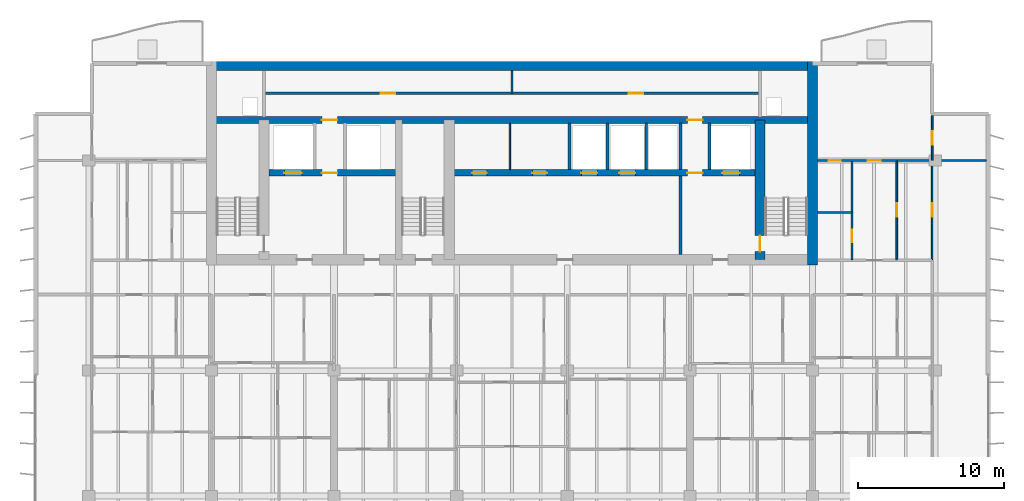
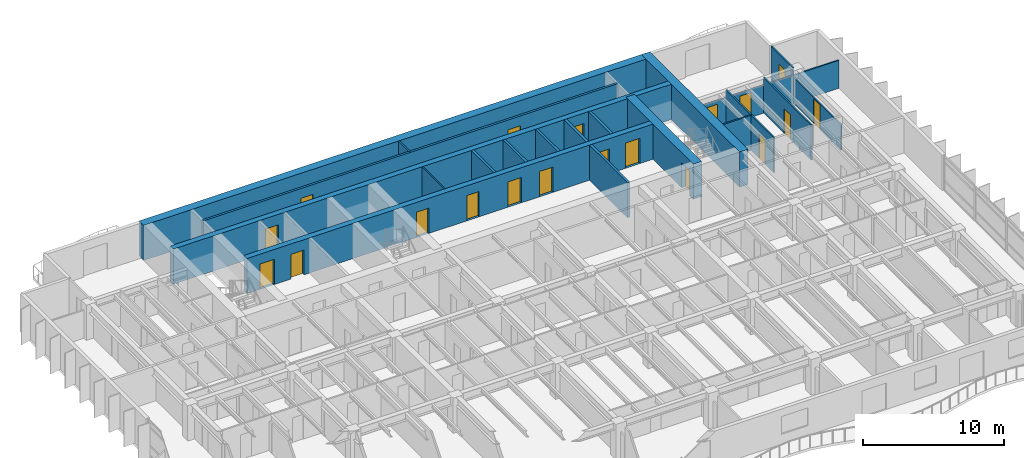
# One storey, part 13 of 18: 21 walls, 19 doors, 19 openings.
"""IFC4 building model written with IfcOpenShell, lengths in metres."""

from ifc_helpers import new_model, si_unit, direction, frame, frame_2d, origin, place, context, subcontext, project, spatial, rectangle, extrude, material, layer, layer_set, type_object, element, fill, save


model = new_model("IFC4")

# Units and contexts
model_context = context("Model", 3, precision=1e-05, world=origin(), true_north=direction((0.0, 1.0)))
body_context = subcontext(model_context, "Body", "Model", "MODEL_VIEW")
ifc_project = project(units=[si_unit("LENGTHUNIT", "METRE"), si_unit("AREAUNIT", "SQUARE_METRE"), si_unit("VOLUMEUNIT", "CUBIC_METRE"), si_unit("PLANEANGLEUNIT", "RADIAN"), si_unit("MASSUNIT", "GRAM", prefix="KILO")], contexts=[model_context])

# Site, building, storey
site_placement = place(None, origin())
site = spatial("IfcSite", under=ifc_project, at=site_placement, CompositionType="ELEMENT")
building_placement = place(site_placement, origin())
building = spatial("IfcBuilding", under=site, at=building_placement, Name="Caelmar Bay Residences", CompositionType="ELEMENT")
storey_placement = place(building_placement, frame((0.0, 0.0, 177.0)))
storey = spatial("IfcBuildingStorey", under=building, at=storey_placement, Name="L49", CompositionType="ELEMENT", Elevation=177.0)

# Wall
ifc_material_1 = material(Name="Concrete f'c 55 MPa (8,000 psi)", Category="concrete")
ifc_layer_1 = layer(ifc_material_1, 0.699951171875)
ifc_layer_set_1 = layer_set([ifc_layer_1], Name="Concrete f'c 55 MPa (8,000 psi)")
wall_type_1 = type_object("IfcWallType", Name="SW-COR-700", PredefinedType="SHEAR", material=ifc_layer_set_1)
wall_1_placement = place(storey_placement, frame((59.5, 36.64990234375, 0.0), z_axis=(0.0, 0.0, 1.0), x_axis=(0.0, 1.0, 0.0)))
element("IfcWall", 1, at=wall_1_placement, inside=storey, type_object=wall_type_1, Name="L49 Rear Core East Shear Wall", PredefinedType="SHEAR", context=body_context, shape_type="SweptSolid", body=[
    extrude(rectangle(XDim=13.9501953125, YDim=0.699951171875, at=frame_2d((6.97509765625, 0.0))), origin(), (0.0, 0.0, 1.0), 3.050048828125),
])

# Wall, opening, door
wall_2_placement = place(storey_placement, frame((55.89990234375, 37.0, 0.0), z_axis=(0.0, 0.0, 1.0), x_axis=(0.0, 1.0, 0.0)))
wall_2 = element("IfcWall", 2, at=wall_2_placement, inside=storey, type_object=wall_type_1, Name="L49 Core Structural Web Wall ST2W", PredefinedType="SHEAR", context=body_context, shape_type="SweptSolid", body=[
    extrude(rectangle(XDim=9.574951171875, YDim=0.699951171875, at=frame_2d((4.78759765625, 0.0))), origin(), (0.0, 0.0, 1.0), 3.050048828125),
])
opening_1_placement = place(wall_2_placement, frame((0.550048828125, 0.0, 0.0)))
opening_1 = element("IfcOpeningElement", 3, at=opening_1_placement, cuts=wall_2, Name="Opening D-L49-110", PredefinedType="OPENING", context=body_context, shape_type="SweptSolid", body=[
    extrude(rectangle(XDim=1.10009765625, YDim=2.14990234375, at=frame_2d((0.550048828125, 1.074951171875))), frame((0.0, 0.35986328125, 0.0), z_axis=(0.0, -1.0, 0.0), x_axis=(1.0, 0.0, 0.0)), (0.0, 0.0, 1.0), 0.719970703125),
])
ifc_material_2 = material(Name="Fire-rated steel and walnut architectural door assembly", Category="steel")
ifc_layer_2 = layer(ifc_material_2, 0.050048828125)
ifc_layer_set_2 = layer_set([ifc_layer_2], Name="Fire-rated steel and walnut architectural door assembly")
door_type_1 = type_object("IfcDoorType", Name="D-STAIR-1100", OperationType="NOTDEFINED", PredefinedType="DOOR", material=ifc_layer_set_2)
door_1_placement = place(opening_1_placement, origin())
door_1 = element("IfcDoor", 4, at=door_1_placement, inside=storey, type_object=door_type_1, Name="L49 Firefighting Lobby East Door", OperationType="SINGLE_SWING_LEFT", OverallHeight=2.14990234375, OverallWidth=1.10009765625, PredefinedType="DOOR", context=body_context, shape_type="SweptSolid", body=[
    extrude(rectangle(XDim=1.10009765625, YDim=2.14990234375, at=frame_2d((0.550048828125, 1.074951171875))), frame((0.0, 0.02490234375, 0.0), z_axis=(0.0, -1.0, 0.0), x_axis=(1.0, 0.0, 0.0)), (0.0, 0.0, 1.0), 0.050048828125),
])
fill(opening_1, door_1)

# Wall
ifc_layer_3 = layer(ifc_material_1, 0.64990234375)
ifc_layer_set_3 = layer_set([ifc_layer_3], Name="Concrete f'c 55 MPa (8,000 psi)")
wall_type_2 = type_object("IfcWallType", Name="SW-CORN-650", PredefinedType="SHEAR", material=ifc_layer_set_3)
wall_3_placement = place(storey_placement, frame((17.949951171875, 50.27490234375, 0.0), z_axis=(0.0, 0.0, 1.0), x_axis=(1.0, 0.0, 0.0)))
element("IfcWall", 5, at=wall_3_placement, inside=storey, type_object=wall_type_2, Name="L49 Rear Core North Shear Wall", PredefinedType="SHEAR", context=body_context, shape_type="SweptSolid", body=[
    extrude(rectangle(XDim=41.900146484375, YDim=0.64990234375, at=frame_2d((20.9501953125, 0.0))), origin(), (0.0, 0.0, 1.0), 3.050048828125),
])

# Wall, openings, doors
ifc_material_3 = material(Name="Concrete f'c 70 MPa (10,000 psi)", Category="concrete")
ifc_layer_4 = layer(ifc_material_3, 0.449951171875)
ifc_layer_set_4 = layer_set([ifc_layer_4], Name="Concrete f'c 70 MPa (10,000 psi)")
wall_type_3 = type_object("IfcWallType", Name="SW-WEB-450", PredefinedType="SHEAR", material=ifc_layer_set_4)
wall_4_placement = place(storey_placement, frame((22.25, 42.949951171875, 0.0), z_axis=(0.0, 0.0, 1.0), x_axis=(1.0, 0.0, 0.0)))
wall_4 = element("IfcWall", 6, at=wall_4_placement, inside=storey, type_object=wall_type_3, Name="L49 Core Structural Web Wall LFR", PredefinedType="SHEAR", context=body_context, shape_type="SweptSolid", body=[
    extrude(rectangle(XDim=33.300048828125, YDim=0.449951171875, at=frame_2d((16.64990234375, 0.0))), origin(), (0.0, 0.0, 1.0), 3.050048828125),
])
opening_2_placement = place(wall_4_placement, frame((1.050048828125, 0.0, 0.0)))
opening_2 = element("IfcOpeningElement", 7, at=opening_2_placement, cuts=wall_4, Name="Opening LD2", PredefinedType="OPENING", context=body_context, shape_type="SweptSolid", body=[
    extrude(rectangle(XDim=1.199951171875, YDim=2.199951171875, at=frame_2d((0.60009765625, 1.10009765625))), frame((0.0, 0.23486328125, 0.0), z_axis=(0.0, -1.0, 0.0), x_axis=(1.0, 0.0, 0.0)), (0.0, 0.0, 1.0), 0.469970703125),
])
opening_3_placement = place(wall_4_placement, frame((31.050048828125, 0.0, 0.0)))
opening_3 = element("IfcOpeningElement", 8, at=opening_3_placement, cuts=wall_4, Name="Opening LD2", PredefinedType="OPENING", context=body_context, shape_type="SweptSolid", body=[
    extrude(rectangle(XDim=1.199951171875, YDim=2.199951171875, at=frame_2d((0.60009765625, 1.10009765625))), frame((0.0, 0.23486328125, 0.0), z_axis=(0.0, -1.0, 0.0), x_axis=(1.0, 0.0, 0.0)), (0.0, 0.0, 1.0), 0.469970703125),
])
opening_4_placement = place(wall_4_placement, frame((21.39990234375, 0.0, 0.0)))
opening_4 = element("IfcOpeningElement", 9, at=opening_4_placement, cuts=wall_4, Name="Opening LD1", PredefinedType="OPENING", context=body_context, shape_type="SweptSolid", body=[
    extrude(rectangle(XDim=1.10009765625, YDim=2.199951171875, at=frame_2d((0.550048828125, 1.10009765625))), frame((0.0, 0.23486328125, 0.0), z_axis=(0.0, -1.0, 0.0), x_axis=(1.0, 0.0, 0.0)), (0.0, 0.0, 1.0), 0.469970703125),
])
opening_5_placement = place(wall_4_placement, frame((24.0, 0.0, 0.0)))
opening_5 = element("IfcOpeningElement", 10, at=opening_5_placement, cuts=wall_4, Name="Opening LD1", PredefinedType="OPENING", context=body_context, shape_type="SweptSolid", body=[
    extrude(rectangle(XDim=1.10009765625, YDim=2.199951171875, at=frame_2d((0.550048828125, 1.10009765625))), frame((0.0, 0.23486328125, 0.0), z_axis=(0.0, -1.0, 0.0), x_axis=(1.0, 0.0, 0.0)), (0.0, 0.0, 1.0), 0.469970703125),
])
opening_6_placement = place(wall_4_placement, frame((3.625, 0.0, 0.0)))
opening_6 = element("IfcOpeningElement", 11, at=opening_6_placement, cuts=wall_4, Name="Opening D-L49-108", PredefinedType="OPENING", context=body_context, shape_type="SweptSolid", body=[
    extrude(rectangle(XDim=1.050048828125, YDim=2.14990234375, at=frame_2d((0.52490234375, 1.074951171875))), frame((0.0, 0.23486328125, 0.0), z_axis=(0.0, -1.0, 0.0), x_axis=(1.0, 0.0, 0.0)), (0.0, 0.0, 1.0), 0.469970703125),
])
opening_7_placement = place(wall_4_placement, frame((28.675048828125, 0.0, 0.0)))
opening_7 = element("IfcOpeningElement", 12, at=opening_7_placement, cuts=wall_4, Name="Opening D-L49-111", PredefinedType="OPENING", context=body_context, shape_type="SweptSolid", body=[
    extrude(rectangle(XDim=1.050048828125, YDim=2.14990234375, at=frame_2d((0.52490234375, 1.074951171875))), frame((0.0, 0.23486328125, 0.0), z_axis=(0.0, -1.0, 0.0), x_axis=(1.0, 0.0, 0.0)), (0.0, 0.0, 1.0), 0.469970703125),
])
opening_8_placement = place(wall_4_placement, frame((13.925048828125, 0.0, 0.0)))
opening_8 = element("IfcOpeningElement", 13, at=opening_8_placement, cuts=wall_4, Name="Opening D-L49-114", PredefinedType="OPENING", context=body_context, shape_type="SweptSolid", body=[
    extrude(rectangle(XDim=1.0, YDim=2.199951171875, at=frame_2d((0.5, 1.10009765625))), frame((0.0, 0.23486328125, 0.0), z_axis=(0.0, -1.0, 0.0), x_axis=(1.0, 0.0, 0.0)), (0.0, 0.0, 1.0), 0.469970703125),
])
opening_9_placement = place(wall_4_placement, frame((18.050048828125, 0.0, 0.0)))
opening_9 = element("IfcOpeningElement", 14, at=opening_9_placement, cuts=wall_4, Name="Opening D-L49-115", PredefinedType="OPENING", context=body_context, shape_type="SweptSolid", body=[
    extrude(rectangle(XDim=1.0, YDim=2.199951171875, at=frame_2d((0.5, 1.10009765625))), frame((0.0, 0.23486328125, 0.0), z_axis=(0.0, -1.0, 0.0), x_axis=(1.0, 0.0, 0.0)), (0.0, 0.0, 1.0), 0.469970703125),
])
ifc_layer_5 = layer(ifc_material_2, 0.050048828125)
ifc_layer_set_5 = layer_set([ifc_layer_5], Name="Fire-rated steel and walnut architectural door assembly")
door_type_2 = type_object("IfcDoorType", Name="D-FSAE-1050", OperationType="NOTDEFINED", PredefinedType="DOOR", material=ifc_layer_set_5)
door_2_placement = place(opening_6_placement, origin())
door_2 = element("IfcDoor", 15, at=door_2_placement, inside=storey, type_object=door_type_2, Name="L49 Firefighting Lobby West Door", OperationType="SINGLE_SWING_LEFT", OverallHeight=2.14990234375, OverallWidth=1.050048828125, PredefinedType="DOOR", context=body_context, shape_type="SweptSolid", body=[
    extrude(rectangle(XDim=1.050048828125, YDim=2.14990234375, at=frame_2d((0.52490234375, 1.074951171875))), frame((0.0, 0.02490234375, 0.0), z_axis=(0.0, -1.0, 0.0), x_axis=(1.0, 0.0, 0.0)), (0.0, 0.0, 1.0), 0.050048828125),
])
fill(opening_6, door_2)
door_3_placement = place(opening_7_placement, origin())
door_3 = element("IfcDoor", 16, at=door_3_placement, inside=storey, type_object=door_type_2, Name="L49 Firefighting Lobby East Door", OperationType="SINGLE_SWING_RIGHT", OverallHeight=2.14990234375, OverallWidth=1.050048828125, PredefinedType="DOOR", context=body_context, shape_type="SweptSolid", body=[
    extrude(rectangle(XDim=1.050048828125, YDim=2.14990234375, at=frame_2d((0.52490234375, 1.074951171875))), frame((0.0, 0.02490234375, 0.0), z_axis=(0.0, -1.0, 0.0), x_axis=(1.0, 0.0, 0.0)), (0.0, 0.0, 1.0), 0.050048828125),
])
fill(opening_7, door_3)
ifc_material_4 = material(Name="Brushed bronze stainless-steel fire-rated lift landing doors", Category="steel")
ifc_layer_6 = layer(ifc_material_4, 0.050048828125)
ifc_layer_set_6 = layer_set([ifc_layer_6], Name="Brushed bronze stainless-steel fire-rated lift landing doors")
door_type_3 = type_object("IfcDoorType", Name="D-LND-1100", OperationType="DOUBLE_DOOR_SLIDING", PredefinedType="DOOR", material=ifc_layer_set_6)
door_4_placement = place(opening_4_placement, origin())
door_4 = element("IfcDoor", 17, at=door_4_placement, inside=storey, type_object=door_type_3, Name="L49 LP4 Sliding Landing Door", OperationType="DOUBLE_DOOR_SLIDING", OverallHeight=2.199951171875, OverallWidth=1.10009765625, PredefinedType="DOOR", context=body_context, shape_type="SweptSolid", body=[
    extrude(rectangle(XDim=1.10009765625, YDim=2.199951171875, at=frame_2d((0.550048828125, 1.10009765625))), frame((0.0, 0.02490234375, 0.0), z_axis=(0.0, -1.0, 0.0), x_axis=(1.0, 0.0, 0.0)), (0.0, 0.0, 1.0), 0.050048828125),
])
fill(opening_4, door_4)
door_5_placement = place(opening_5_placement, origin())
door_5 = element("IfcDoor", 18, at=door_5_placement, inside=storey, type_object=door_type_3, Name="L49 LP5 Sliding Landing Door", OperationType="DOUBLE_DOOR_SLIDING", OverallHeight=2.199951171875, OverallWidth=1.10009765625, PredefinedType="DOOR", context=body_context, shape_type="SweptSolid", body=[
    extrude(rectangle(XDim=1.10009765625, YDim=2.199951171875, at=frame_2d((0.550048828125, 1.10009765625))), frame((0.0, 0.02490234375, 0.0), z_axis=(0.0, -1.0, 0.0), x_axis=(1.0, 0.0, 0.0)), (0.0, 0.0, 1.0), 0.050048828125),
])
fill(opening_5, door_5)
ifc_material_5 = material(Name="Brushed stainless-steel FSAE sliding landing door", Category="steel")
ifc_layer_7 = layer(ifc_material_5, 0.050048828125)
ifc_layer_set_7 = layer_set([ifc_layer_7], Name="Brushed stainless-steel FSAE sliding landing door")
door_type_4 = type_object("IfcDoorType", Name="D-LND-1200", OperationType="DOUBLE_DOOR_SLIDING", PredefinedType="DOOR", material=ifc_layer_set_7)
door_6_placement = place(opening_2_placement, origin())
door_6 = element("IfcDoor", 19, at=door_6_placement, inside=storey, type_object=door_type_4, Name="L49 LF1 Sliding Landing Door", OperationType="DOUBLE_DOOR_SLIDING", OverallHeight=2.199951171875, OverallWidth=1.199951171875, PredefinedType="DOOR", context=body_context, shape_type="SweptSolid", body=[
    extrude(rectangle(XDim=1.199951171875, YDim=2.199951171875, at=frame_2d((0.60009765625, 1.10009765625))), frame((0.0, 0.02490234375, 0.0), z_axis=(0.0, -1.0, 0.0), x_axis=(1.0, 0.0, 0.0)), (0.0, 0.0, 1.0), 0.050048828125),
])
fill(opening_2, door_6)
door_7_placement = place(opening_3_placement, origin())
door_7 = element("IfcDoor", 20, at=door_7_placement, inside=storey, type_object=door_type_4, Name="L49 LF2 Sliding Landing Door", OperationType="DOUBLE_DOOR_SLIDING", OverallHeight=2.199951171875, OverallWidth=1.199951171875, PredefinedType="DOOR", context=body_context, shape_type="SweptSolid", body=[
    extrude(rectangle(XDim=1.199951171875, YDim=2.199951171875, at=frame_2d((0.60009765625, 1.10009765625))), frame((0.0, 0.02490234375, 0.0), z_axis=(0.0, -1.0, 0.0), x_axis=(1.0, 0.0, 0.0)), (0.0, 0.0, 1.0), 0.050048828125),
])
fill(opening_3, door_7)
ifc_layer_8 = layer(ifc_material_2, 0.050048828125)
ifc_layer_set_8 = layer_set([ifc_layer_8], Name="Fire-rated steel and walnut architectural door assembly")
door_type_5 = type_object("IfcDoorType", Name="D-UNIT-1000", OperationType="NOTDEFINED", PredefinedType="DOOR", material=ifc_layer_set_8)
door_8_placement = place(opening_8_placement, origin())
door_8 = element("IfcDoor", 21, at=door_8_placement, inside=storey, type_object=door_type_5, Name="L49 Residents Study Room Door", OperationType="SINGLE_SWING_LEFT", OverallHeight=2.199951171875, OverallWidth=1.0, PredefinedType="DOOR", context=body_context, shape_type="SweptSolid", body=[
    extrude(rectangle(XDim=1.0, YDim=2.199951171875, at=frame_2d((0.5, 1.10009765625))), frame((0.0, 0.02490234375, 0.0), z_axis=(0.0, -1.0, 0.0), x_axis=(1.0, 0.0, 0.0)), (0.0, 0.0, 1.0), 0.050048828125),
])
fill(opening_8, door_8)
door_9_placement = place(opening_9_placement, origin())
door_9 = element("IfcDoor", 22, at=door_9_placement, inside=storey, type_object=door_type_5, Name="L49 Wine Tasting Room Door", OperationType="SINGLE_SWING_RIGHT", OverallHeight=2.199951171875, OverallWidth=1.0, PredefinedType="DOOR", context=body_context, shape_type="SweptSolid", body=[
    extrude(rectangle(XDim=1.0, YDim=2.199951171875, at=frame_2d((0.5, 1.10009765625))), frame((0.0, 0.02490234375, 0.0), z_axis=(0.0, -1.0, 0.0), x_axis=(1.0, 0.0, 0.0)), (0.0, 0.0, 1.0), 0.050048828125),
])
fill(opening_9, door_9)

wall_5_placement = place(storey_placement, frame((18.300048828125, 46.574951171875, 0.0), z_axis=(0.0, 0.0, 1.0), x_axis=(1.0, 0.0, 0.0)))
wall_5 = element("IfcWall", 23, at=wall_5_placement, inside=storey, type_object=wall_type_3, Name="L49 Core Structural Web Wall SRVS", PredefinedType="SHEAR", context=body_context, shape_type="SweptSolid", body=[
    extrude(rectangle(XDim=41.199951171875, YDim=0.449951171875, at=frame_2d((20.60009765625, 0.0))), origin(), (0.0, 0.0, 1.0), 3.050048828125),
])
opening_10_placement = place(wall_5_placement, frame((7.574951171875, 0.0, 0.0)))
opening_10 = element("IfcOpeningElement", 24, at=opening_10_placement, cuts=wall_5, Name="Opening D-L49-116", PredefinedType="OPENING", context=body_context, shape_type="SweptSolid", body=[
    extrude(rectangle(XDim=1.050048828125, YDim=2.14990234375, at=frame_2d((0.52490234375, 1.074951171875))), frame((0.0, 0.23486328125, 0.0), z_axis=(0.0, -1.0, 0.0), x_axis=(1.0, 0.0, 0.0)), (0.0, 0.0, 1.0), 0.469970703125),
])
opening_11_placement = place(wall_5_placement, frame((32.625, 0.0, 0.0)))
opening_11 = element("IfcOpeningElement", 25, at=opening_11_placement, cuts=wall_5, Name="Opening D-L49-117", PredefinedType="OPENING", context=body_context, shape_type="SweptSolid", body=[
    extrude(rectangle(XDim=1.050048828125, YDim=2.14990234375, at=frame_2d((0.52490234375, 1.074951171875))), frame((0.0, 0.23486328125, 0.0), z_axis=(0.0, -1.0, 0.0), x_axis=(1.0, 0.0, 0.0)), (0.0, 0.0, 1.0), 0.469970703125),
])
door_10_placement = place(opening_10_placement, origin())
door_10 = element("IfcDoor", 26, at=door_10_placement, inside=storey, type_object=door_type_2, Name="L49 Core Service Corridor Door", OperationType="SINGLE_SWING_LEFT", OverallHeight=2.14990234375, OverallWidth=1.050048828125, PredefinedType="DOOR", context=body_context, shape_type="SweptSolid", body=[
    extrude(rectangle(XDim=1.050048828125, YDim=2.14990234375, at=frame_2d((0.52490234375, 1.074951171875))), frame((0.0, 0.02490234375, 0.0), z_axis=(0.0, -1.0, 0.0), x_axis=(1.0, 0.0, 0.0)), (0.0, 0.0, 1.0), 0.050048828125),
])
fill(opening_10, door_10)
door_11_placement = place(opening_11_placement, origin())
door_11 = element("IfcDoor", 27, at=door_11_placement, inside=storey, type_object=door_type_2, Name="L49 Core Service Corridor Door", OperationType="SINGLE_SWING_RIGHT", OverallHeight=2.14990234375, OverallWidth=1.050048828125, PredefinedType="DOOR", context=body_context, shape_type="SweptSolid", body=[
    extrude(rectangle(XDim=1.050048828125, YDim=2.14990234375, at=frame_2d((0.52490234375, 1.074951171875))), frame((0.0, 0.02490234375, 0.0), z_axis=(0.0, -1.0, 0.0), x_axis=(1.0, 0.0, 0.0)), (0.0, 0.0, 1.0), 0.050048828125),
])
fill(opening_11, door_11)

ifc_material_6 = material(Name="Double-stud acoustic fire-rated gypsum partition 180 mm")
ifc_layer_9 = layer(ifc_material_6, 0.179931640625)
ifc_layer_set_9 = layer_set([ifc_layer_9], Name="Double-stud acoustic fire-rated gypsum partition 180 mm")
wall_type_4 = type_object("IfcWallType", Name="W-COR-200", PredefinedType="PARTITIONING", material=ifc_layer_set_9)
wall_6_placement = place(storey_placement, frame((21.89990234375, 48.39990234375, 0.0), z_axis=(0.0, 0.0, 1.0), x_axis=(1.0, 0.0, 0.0)))
wall_6 = element("IfcWall", 28, at=wall_6_placement, inside=storey, type_object=wall_type_4, Name="L49 Partition Wall H140", PredefinedType="PARTITIONING", context=body_context, shape_type="SweptSolid", body=[
    extrude(rectangle(XDim=34.0, YDim=0.179931640625, at=frame_2d((17.0, 0.0))), origin(), (0.0, 0.0, 1.0), 3.050048828125),
])
opening_12_placement = place(wall_6_placement, frame((8.0, 0.0, 0.0)))
opening_12 = element("IfcOpeningElement", 29, at=opening_12_placement, cuts=wall_6, Name="Opening D-L49-118", PredefinedType="OPENING", context=body_context, shape_type="SweptSolid", body=[
    extrude(rectangle(XDim=1.0, YDim=2.199951171875, at=frame_2d((0.5, 1.10009765625))), frame((0.0, 0.099853515625, 0.0), z_axis=(0.0, -1.0, 0.0), x_axis=(1.0, 0.0, 0.0)), (0.0, 0.0, 1.0), 0.199951171875),
])
opening_13_placement = place(wall_6_placement, frame((25.0, 0.0, 0.0)))
opening_13 = element("IfcOpeningElement", 30, at=opening_13_placement, cuts=wall_6, Name="Opening D-L49-119", PredefinedType="OPENING", context=body_context, shape_type="SweptSolid", body=[
    extrude(rectangle(XDim=1.0, YDim=2.199951171875, at=frame_2d((0.5, 1.10009765625))), frame((0.0, 0.099853515625, 0.0), z_axis=(0.0, -1.0, 0.0), x_axis=(1.0, 0.0, 0.0)), (0.0, 0.0, 1.0), 0.199951171875),
])
door_12_placement = place(opening_12_placement, origin())
door_12 = element("IfcDoor", 31, at=door_12_placement, inside=storey, type_object=door_type_5, Name="L49 Building Management Office Door", OperationType="SINGLE_SWING_LEFT", OverallHeight=2.199951171875, OverallWidth=1.0, PredefinedType="DOOR", context=body_context, shape_type="SweptSolid", body=[
    extrude(rectangle(XDim=1.0, YDim=2.199951171875, at=frame_2d((0.5, 1.10009765625))), frame((0.0, 0.02490234375, 0.0), z_axis=(0.0, -1.0, 0.0), x_axis=(1.0, 0.0, 0.0)), (0.0, 0.0, 1.0), 0.050048828125),
])
fill(opening_12, door_12)
door_13_placement = place(opening_13_placement, origin())
door_13 = element("IfcDoor", 32, at=door_13_placement, inside=storey, type_object=door_type_5, Name="L49 Concierge Operations Office Door", OperationType="SINGLE_SWING_RIGHT", OverallHeight=2.199951171875, OverallWidth=1.0, PredefinedType="DOOR", context=body_context, shape_type="SweptSolid", body=[
    extrude(rectangle(XDim=1.0, YDim=2.199951171875, at=frame_2d((0.5, 1.10009765625))), frame((0.0, 0.02490234375, 0.0), z_axis=(0.0, -1.0, 0.0), x_axis=(1.0, 0.0, 0.0)), (0.0, 0.0, 1.0), 0.050048828125),
])
fill(opening_13, door_13)

# Walls
ifc_material_7 = material(Name="Fire-rated masonry and gypsum shaftliner assembly 200 mm", Category="masonry")
ifc_layer_10 = layer(ifc_material_7, 0.199951171875)
ifc_layer_set_10 = layer_set([ifc_layer_10], Name="Fire-rated masonry and gypsum shaftliner assembly 200 mm")
wall_type_5 = type_object("IfcWallType", Name="W-FSAE-200", PredefinedType="PARTITIONING", material=ifc_layer_set_10)
for number, where, z_axis, x_axis, name in (
    (33, (42.85009765625, 43.169921875, 0.0), (0.0, 0.0, 1.0), (0.0, 1.0, 0.0), "L49 Partition Wall V061"),
    (34, (45.449951171875, 43.169921875, 0.0), (0.0, 0.0, 1.0), (0.0, 1.0, 0.0), "L49 Partition Wall V062"),
    (35, (48.10009765625, 43.169921875, 0.0), (0.0, 0.0, 1.0), (0.0, 1.0, 0.0), "L49 Partition Wall V063"),
):
    element("IfcWall", number, at=place(storey_placement, frame(where, z_axis=z_axis, x_axis=x_axis)), inside=storey, type_object=wall_type_5, Name=name, PredefinedType="PARTITIONING", context=body_context, shape_type="SweptSolid", body=[
        extrude(rectangle(XDim=3.18505859375, YDim=0.199951171875, at=frame_2d((1.592529296875, 0.0))), origin(), (0.0, 0.0, 1.0), 3.050048828125),
    ])
wall_7_placement = place(storey_placement, frame((50.449951171875, 37.344970703125, 0.0), z_axis=(0.0, 0.0, 1.0), x_axis=(0.0, 1.0, 0.0)))
element("IfcWall", 36, at=wall_7_placement, inside=storey, type_object=wall_type_5, Name="L49 Partition Wall V067", PredefinedType="PARTITIONING", context=body_context, shape_type="SweptSolid", body=[
    extrude(rectangle(XDim=5.385009765625, YDim=0.199951171875, at=frame_2d((2.6923828125, 0.0))), origin(), (0.0, 0.0, 1.0), 3.050048828125),
])
for number, where, z_axis, x_axis, name in (
    (37, (50.449951171875, 43.169921875, 0.0), (0.0, 0.0, 1.0), (0.0, 1.0, 0.0), "L49 Partition Wall V068"),
    (38, (52.449951171875, 43.169921875, 0.0), (0.0, 0.0, 1.0), (0.0, 1.0, 0.0), "L49 Partition Wall V074"),
):
    element("IfcWall", number, at=place(storey_placement, frame(where, z_axis=z_axis, x_axis=x_axis)), inside=storey, type_object=wall_type_5, Name=name, PredefinedType="PARTITIONING", context=body_context, shape_type="SweptSolid", body=[
        extrude(rectangle(XDim=3.18505859375, YDim=0.199951171875, at=frame_2d((1.592529296875, 0.0))), origin(), (0.0, 0.0, 1.0), 3.050048828125),
    ])
ifc_material_8 = material(Name="Anodised bronze framed acoustic sliding study partition 100 mm")
ifc_layer_11 = layer(ifc_material_8, 0.10009765625)
ifc_layer_set_11 = layer_set([ifc_layer_11], Name="Anodised bronze framed acoustic sliding study partition 100 mm")
wall_type_6 = type_object("IfcWallType", Name="W-MOV-100", PredefinedType="MOVABLE", material=ifc_layer_set_11)
wall_8_placement = place(storey_placement, frame((38.75, 43.169921875, 0.0), z_axis=(0.0, 0.0, 1.0), x_axis=(0.0, 1.0, 0.0)))
element("IfcWall", 39, at=wall_8_placement, inside=storey, type_object=wall_type_6, Name="L49 Partition Wall V050", PredefinedType="MOVABLE", context=body_context, shape_type="SweptSolid", body=[
    extrude(rectangle(XDim=3.18505859375, YDim=0.10009765625, at=frame_2d((1.592529296875, 0.0))), origin(), (0.0, 0.0, 1.0), 3.050048828125),
])

# Wall, opening, door
wall_9_placement = place(storey_placement, frame((67.699951171875, 37.0, 0.0), z_axis=(0.0, 0.0, 1.0), x_axis=(0.0, 1.0, 0.0)))
wall_9 = element("IfcWall", 40, at=wall_9_placement, inside=storey, type_object=wall_type_6, Name="L49 Partition Wall V102", PredefinedType="MOVABLE", context=body_context, shape_type="SweptSolid", body=[
    extrude(rectangle(XDim=6.800048828125, YDim=0.10009765625, at=frame_2d((3.39990234375, 0.0))), origin(), (0.0, 0.0, 1.0), 2.262939453125),
])
opening_14_placement = place(wall_9_placement, frame((2.949951171875, 0.0, 0.0)))
opening_14 = element("IfcOpeningElement", 41, at=opening_14_placement, cuts=wall_9, Name="Opening D-L49-177", PredefinedType="OPENING", context=body_context, shape_type="SweptSolid", body=[
    extrude(rectangle(XDim=0.89990234375, YDim=2.14990234375, at=frame_2d((0.449951171875, 1.074951171875))), frame((0.0, 0.06005859375, 0.0), z_axis=(0.0, -1.0, 0.0), x_axis=(1.0, 0.0, 0.0)), (0.0, 0.0, 1.0), 0.1201171875),
])
ifc_material_9 = material(Name="Solid walnut timber interior door leaf and frame", Category="wood")
ifc_layer_12 = layer(ifc_material_9, 0.050048828125)
ifc_layer_set_12 = layer_set([ifc_layer_12], Name="Solid walnut timber interior door leaf and frame")
door_type_6 = type_object("IfcDoorType", Name="D-ROOM-900", OperationType="NOTDEFINED", PredefinedType="DOOR", material=ifc_layer_set_12)
door_14_placement = place(opening_14_placement, origin())
door_14 = element("IfcDoor", 42, at=door_14_placement, inside=storey, type_object=door_type_6, Name="L49 Residence EA Sun Study Door", OperationType="SINGLE_SWING_RIGHT", OverallHeight=2.14990234375, OverallWidth=0.89990234375, PredefinedType="DOOR", context=body_context, shape_type="SweptSolid", body=[
    extrude(rectangle(XDim=0.89990234375, YDim=2.14990234375, at=frame_2d((0.449951171875, 1.074951171875))), frame((0.0, 0.02490234375, 0.0), z_axis=(0.0, -1.0, 0.0), x_axis=(1.0, 0.0, 0.0)), (0.0, 0.0, 1.0), 0.050048828125),
])
fill(opening_14, door_14)

# Wall
ifc_material_10 = material(Name="Acoustic metal-stud gypsum partition 120 mm")
ifc_layer_13 = layer(ifc_material_10, 0.1201171875)
ifc_layer_set_13 = layer_set([ifc_layer_13], Name="Acoustic metal-stud gypsum partition 120 mm")
wall_type_7 = type_object("IfcWallType", Name="W-PRT-120", PredefinedType="PARTITIONING", material=ifc_layer_set_13)
wall_10_placement = place(storey_placement, frame((38.89990234375, 48.39990234375, 0.0), z_axis=(0.0, 0.0, 1.0), x_axis=(0.0, 1.0, 0.0)))
element("IfcWall", 43, at=wall_10_placement, inside=storey, type_object=wall_type_7, Name="L49 Partition Wall V051", PredefinedType="PARTITIONING", context=body_context, shape_type="SweptSolid", body=[
    extrude(rectangle(XDim=1.55517578125, YDim=0.1201171875, at=frame_2d((0.777587890625, 0.0))), origin(), (0.0, 0.0, 1.0), 3.050048828125),
])

# Wall, opening, door
wall_11_placement = place(storey_placement, frame((62.199951171875, 37.0, 0.0), z_axis=(0.0, 0.0, 1.0), x_axis=(0.0, 1.0, 0.0)))
wall_11 = element("IfcWall", 44, at=wall_11_placement, inside=storey, type_object=wall_type_7, Name="L49 Partition Wall V088", PredefinedType="PARTITIONING", context=body_context, shape_type="SweptSolid", body=[
    extrude(rectangle(XDim=6.800048828125, YDim=0.1201171875, at=frame_2d((3.39990234375, 0.0))), origin(), (0.0, 0.0, 1.0), 3.050048828125),
])
opening_15_placement = place(wall_11_placement, frame((1.194091796875, 0.0, 0.0)))
opening_15 = element("IfcOpeningElement", 45, at=opening_15_placement, cuts=wall_11, Name="Opening D-L49-175", PredefinedType="OPENING", context=body_context, shape_type="SweptSolid", body=[
    extrude(rectangle(XDim=0.85009765625, YDim=2.10009765625, at=frame_2d((0.425048828125, 1.050048828125))), frame((0.0, 0.070068359375, 0.0), z_axis=(0.0, -1.0, 0.0), x_axis=(1.0, 0.0, 0.0)), (0.0, 0.0, 1.0), 0.14013671875),
])
ifc_layer_14 = layer(ifc_material_9, 0.050048828125)
ifc_layer_set_14 = layer_set([ifc_layer_14], Name="Solid walnut timber interior door leaf and frame")
door_type_7 = type_object("IfcDoorType", Name="D-BATH-850", OperationType="NOTDEFINED", PredefinedType="DOOR", material=ifc_layer_set_14)
door_15_placement = place(opening_15_placement, origin())
door_15 = element("IfcDoor", 46, at=door_15_placement, inside=storey, type_object=door_type_7, Name="L49 Residence EA Walk-In Closet Door", OperationType="SINGLE_SWING_RIGHT", OverallHeight=2.10009765625, OverallWidth=0.85009765625, PredefinedType="DOOR", context=body_context, shape_type="SweptSolid", body=[
    extrude(rectangle(XDim=0.85009765625, YDim=2.10009765625, at=frame_2d((0.425048828125, 1.050048828125))), frame((0.0, 0.02490234375, 0.0), z_axis=(0.0, -1.0, 0.0), x_axis=(1.0, 0.0, 0.0)), (0.0, 0.0, 1.0), 0.050048828125),
])
fill(opening_15, door_15)

wall_12_placement = place(storey_placement, frame((65.280029296875, 37.0, 0.0), z_axis=(0.0, 0.0, 1.0), x_axis=(0.0, 1.0, 0.0)))
wall_12 = element("IfcWall", 47, at=wall_12_placement, inside=storey, type_object=wall_type_7, Name="L49 Partition Wall V094", PredefinedType="PARTITIONING", context=body_context, shape_type="SweptSolid", body=[
    extrude(rectangle(XDim=6.800048828125, YDim=0.1201171875, at=frame_2d((3.39990234375, 0.0))), origin(), (0.0, 0.0, 1.0), 3.050048828125),
])
opening_16_placement = place(wall_12_placement, frame((2.949951171875, 0.0, 0.0)))
opening_16 = element("IfcOpeningElement", 48, at=opening_16_placement, cuts=wall_12, Name="Opening D-L49-172", PredefinedType="OPENING", context=body_context, shape_type="SweptSolid", body=[
    extrude(rectangle(XDim=0.89990234375, YDim=2.14990234375, at=frame_2d((0.449951171875, 1.074951171875))), frame((0.0, 0.070068359375, 0.0), z_axis=(0.0, -1.0, 0.0), x_axis=(1.0, 0.0, 0.0)), (0.0, 0.0, 1.0), 0.14013671875),
])
door_16_placement = place(opening_16_placement, origin())
door_16 = element("IfcDoor", 49, at=door_16_placement, inside=storey, type_object=door_type_6, Name="L49 Residence EA Dining Room Door", OperationType="SINGLE_SWING_LEFT", OverallHeight=2.14990234375, OverallWidth=0.89990234375, PredefinedType="DOOR", context=body_context, shape_type="SweptSolid", body=[
    extrude(rectangle(XDim=0.89990234375, YDim=2.14990234375, at=frame_2d((0.449951171875, 1.074951171875))), frame((0.0, 0.02490234375, 0.0), z_axis=(0.0, -1.0, 0.0), x_axis=(1.0, 0.0, 0.0)), (0.0, 0.0, 1.0), 0.050048828125),
])
fill(opening_16, door_16)

wall_13_placement = place(storey_placement, frame((67.699951171875, 43.804931640625, 0.0), z_axis=(0.0, 0.0, 1.0), x_axis=(0.0, 1.0, 0.0)))
wall_13 = element("IfcWall", 50, at=wall_13_placement, inside=storey, type_object=wall_type_7, Name="L49 Partition Wall V103", PredefinedType="PARTITIONING", context=body_context, shape_type="SweptSolid", body=[
    extrude(rectangle(XDim=3.074951171875, YDim=0.1201171875, at=frame_2d((1.53759765625, 0.0))), origin(), (0.0, 0.0, 1.0), 3.050048828125),
])
opening_17_placement = place(wall_13_placement, frame((1.08740234375, 0.0, 0.0)))
opening_17 = element("IfcOpeningElement", 51, at=opening_17_placement, cuts=wall_13, Name="Opening D-L49-178", PredefinedType="OPENING", context=body_context, shape_type="SweptSolid", body=[
    extrude(rectangle(XDim=0.89990234375, YDim=2.14990234375, at=frame_2d((0.449951171875, 1.074951171875))), frame((0.0, 0.070068359375, 0.0), z_axis=(0.0, -1.0, 0.0), x_axis=(1.0, 0.0, 0.0)), (0.0, 0.0, 1.0), 0.14013671875),
])
door_17_placement = place(opening_17_placement, origin())
door_17 = element("IfcDoor", 52, at=door_17_placement, inside=storey, type_object=door_type_6, Name="L49 Residence EA North Sitting Alcove Door", OperationType="SINGLE_SWING_LEFT", OverallHeight=2.14990234375, OverallWidth=0.89990234375, PredefinedType="DOOR", context=body_context, shape_type="SweptSolid", body=[
    extrude(rectangle(XDim=0.89990234375, YDim=2.14990234375, at=frame_2d((0.449951171875, 1.074951171875))), frame((0.0, 0.02490234375, 0.0), z_axis=(0.0, -1.0, 0.0), x_axis=(1.0, 0.0, 0.0)), (0.0, 0.0, 1.0), 0.050048828125),
])
fill(opening_17, door_17)

# Wall
wall_14_placement = place(storey_placement, frame((59.844970703125, 40.238037109375, 0.0), z_axis=(0.0, 0.0, 1.0), x_axis=(1.0, 0.0, 0.0)))
element("IfcWall", 53, at=wall_14_placement, inside=storey, type_object=wall_type_7, Name="L49 Partition Wall H136", PredefinedType="PARTITIONING", context=body_context, shape_type="SweptSolid", body=[
    extrude(rectangle(XDim=2.35498046875, YDim=0.1201171875, at=frame_2d((1.177490234375, 0.0))), origin(), (0.0, 0.0, 1.0), 3.050048828125),
])

# Wall, openings, doors
wall_15_placement = place(storey_placement, frame((59.844970703125, 43.800048828125, 0.0), z_axis=(0.0, 0.0, 1.0), x_axis=(1.0, 0.0, 0.0)))
wall_15 = element("IfcWall", 54, at=wall_15_placement, inside=storey, type_object=wall_type_7, Name="L49 Partition Wall H138", PredefinedType="PARTITIONING", context=body_context, shape_type="SweptSolid", body=[
    extrude(rectangle(XDim=5.43505859375, YDim=0.1201171875, at=frame_2d((2.717529296875, 0.0))), origin(), (0.0, 0.0, 1.0), 2.41796875),
])
opening_18_placement = place(wall_15_placement, frame((3.445068359375, 0.0, 0.0)))
opening_18 = element("IfcOpeningElement", 55, at=opening_18_placement, cuts=wall_15, Name="Opening D-L49-174", PredefinedType="OPENING", context=body_context, shape_type="SweptSolid", body=[
    extrude(rectangle(XDim=0.89990234375, YDim=2.14990234375, at=frame_2d((0.449951171875, 1.074951171875))), frame((0.0, 0.070068359375, 0.0), z_axis=(0.0, -1.0, 0.0), x_axis=(1.0, 0.0, 0.0)), (0.0, 0.0, 1.0), 0.14013671875),
])
opening_19_placement = place(wall_15_placement, frame((0.75244140625, 0.0, 0.0)))
opening_19 = element("IfcOpeningElement", 56, at=opening_19_placement, cuts=wall_15, Name="Opening D-L49-176", PredefinedType="OPENING", context=body_context, shape_type="SweptSolid", body=[
    extrude(rectangle(XDim=0.85009765625, YDim=2.10009765625, at=frame_2d((0.425048828125, 1.050048828125))), frame((0.0, 0.070068359375, 0.0), z_axis=(0.0, -1.0, 0.0), x_axis=(1.0, 0.0, 0.0)), (0.0, 0.0, 1.0), 0.14013671875),
])
door_18_placement = place(opening_19_placement, origin())
door_18 = element("IfcDoor", 57, at=door_18_placement, inside=storey, type_object=door_type_7, Name="L49 Residence EA Bathroom Door", OperationType="SINGLE_SWING_LEFT", OverallHeight=2.10009765625, OverallWidth=0.85009765625, PredefinedType="DOOR", context=body_context, shape_type="SweptSolid", body=[
    extrude(rectangle(XDim=0.85009765625, YDim=2.10009765625, at=frame_2d((0.425048828125, 1.050048828125))), frame((0.0, 0.02490234375, 0.0), z_axis=(0.0, -1.0, 0.0), x_axis=(1.0, 0.0, 0.0)), (0.0, 0.0, 1.0), 0.050048828125),
])
fill(opening_19, door_18)
door_19_placement = place(opening_18_placement, origin())
door_19 = element("IfcDoor", 58, at=door_19_placement, inside=storey, type_object=door_type_6, Name="L49 Residence EA Studio Living and Sleeping Room Door", OperationType="SINGLE_SWING_LEFT", OverallHeight=2.14990234375, OverallWidth=0.89990234375, PredefinedType="DOOR", context=body_context, shape_type="SweptSolid", body=[
    extrude(rectangle(XDim=0.89990234375, YDim=2.14990234375, at=frame_2d((0.449951171875, 1.074951171875))), frame((0.0, 0.02490234375, 0.0), z_axis=(0.0, -1.0, 0.0), x_axis=(1.0, 0.0, 0.0)), (0.0, 0.0, 1.0), 0.050048828125),
])
fill(opening_18, door_19)

# Wall
wall_16_placement = place(storey_placement, frame((65.31591796875, 43.800048828125, 0.0), z_axis=(0.0, 0.0, 1.0), x_axis=(1.0, 0.0, 0.0)))
element("IfcWall", 59, at=wall_16_placement, inside=storey, type_object=wall_type_7, Name="L49 Partition Wall H139", PredefinedType="PARTITIONING", context=body_context, shape_type="SweptSolid", body=[
    extrude(rectangle(XDim=6.089111328125, YDim=0.1201171875, at=frame_2d((3.04443359375, 0.0))), origin(), (0.0, 0.0, 1.0), 2.41796875),
])

save(model, "model.ifc")
